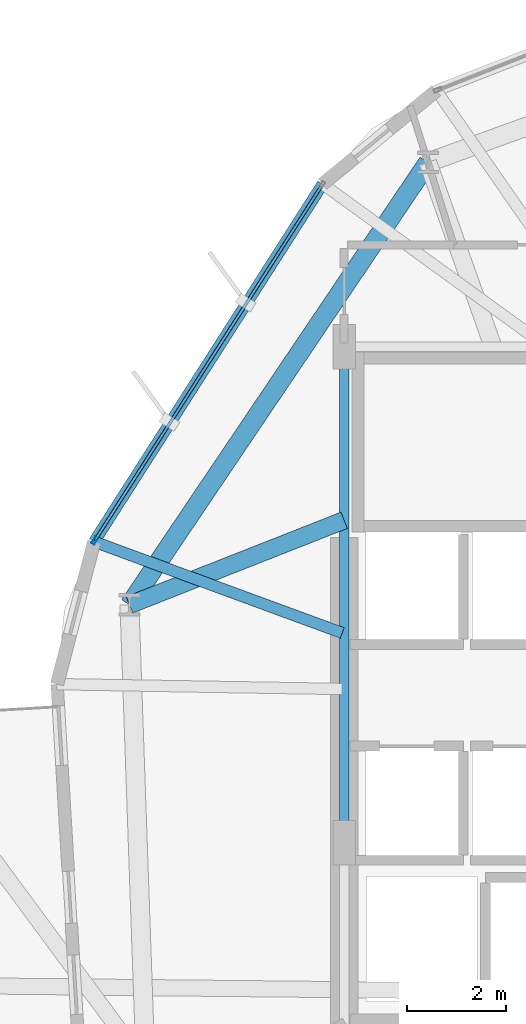
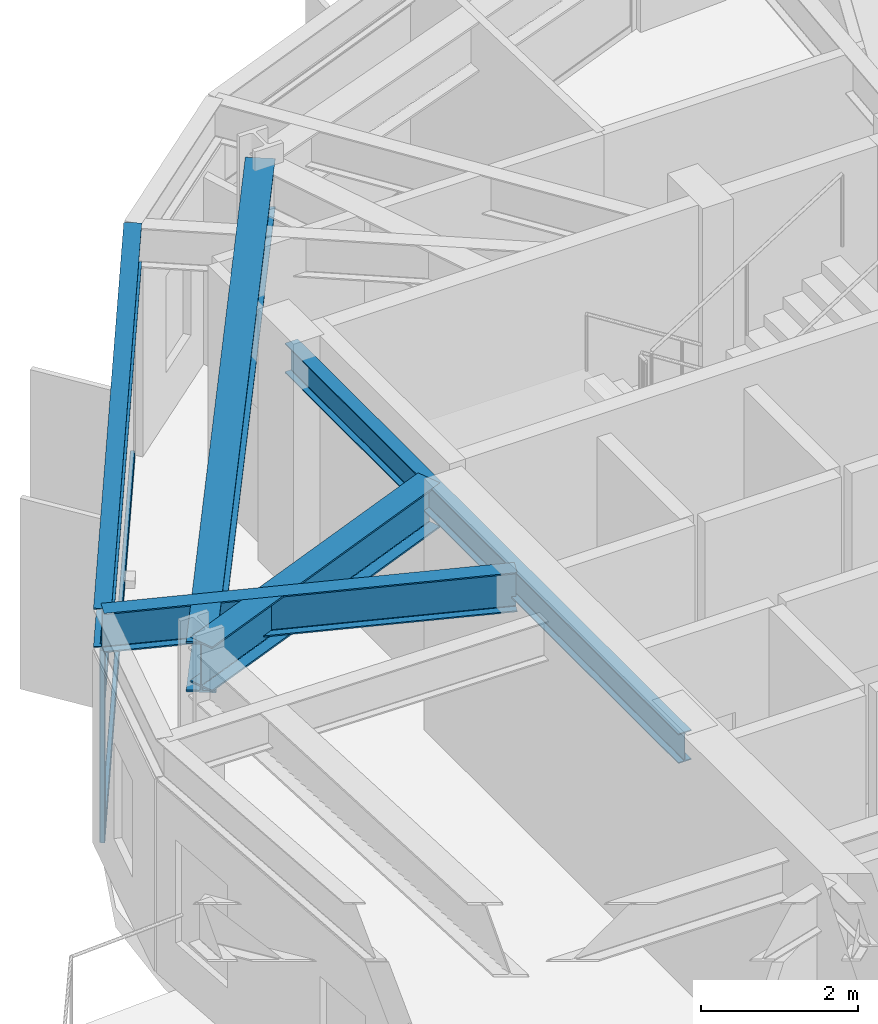
# One storey, part 7 of 22: 5 beams, 4 members, 1 element without a shape of its own.
"""IFC4 building model written with IfcOpenShell, lengths in metres."""

from ifc_helpers import new_model, si_unit, direction, frame, origin, origin_2d, place, context, subcontext, project, spatial, hollow_rectangle, i_section, extrude, material, layer, layer_set, material_profile, profile_set, type_object, element, aggregate, save


model = new_model("IFC4")

# Units and contexts
model_context = context("Model", 3, precision=1e-05, world=origin(), true_north=direction((0.0, 1.0)))
body_context = subcontext(model_context, "Body", "Model", "MODEL_VIEW")
ifc_project = project(units=[si_unit("LENGTHUNIT", "METRE"), si_unit("AREAUNIT", "SQUARE_METRE"), si_unit("VOLUMEUNIT", "CUBIC_METRE"), si_unit("PLANEANGLEUNIT", "RADIAN"), si_unit("MASSUNIT", "GRAM", prefix="KILO")], contexts=[model_context])

# Site, building, storey
site_placement = place(None, origin())
site = spatial("IfcSite", under=ifc_project, at=site_placement, CompositionType="ELEMENT")
building_placement = place(site_placement, origin())
building = spatial("IfcBuilding", under=site, at=building_placement, Name="Soratama Intermodal Tower", CompositionType="ELEMENT")
storey_placement = place(building_placement, frame((0.0, 0.0, 110.800048828125)))
storey = spatial("IfcBuildingStorey", under=building, at=storey_placement, Name="L26", CompositionType="ELEMENT", Elevation=110.800048828125)

# Beams
ifc_material_1 = material(Name="Structural steel ASTM A992 Grade 50", Category="steel")
ifc_material_profile_1 = material_profile(ifc_material_1, i_section(OverallWidth=0.19091796875, OverallDepth=0.4599609375, WebThickness=0.010009765625, FlangeThickness=0.01611328125, FilletRadius=0.010986328125, at=origin_2d()), Name="W18X55")
ifc_profile_set_1 = profile_set([ifc_material_profile_1], Name="Structural steel ASTM A992 Grade 50")
beam_type_1 = type_object("IfcBeamType", Name="BM-FLR-W18X55", PredefinedType="BEAM", material=ifc_profile_set_1)
beam_1_placement = place(storey_placement, frame((32.60009765625, 35.0, 3.369873046875), z_axis=(0.0, -1.0, 0.0), x_axis=(1.0, 0.0, 0.0)))
element("IfcBeam", 1, at=beam_1_placement, inside=storey, type_object=beam_type_1, Name="BM-L26-CRING-08", PredefinedType="BEAM", context=body_context, shape_type="SweptSolid", body=[
    extrude(i_section(OverallWidth=0.19091796875, OverallDepth=0.4599609375, WebThickness=0.010009765625, FlangeThickness=0.01611328125, FilletRadius=0.010986328125, at=origin_2d()), origin(), (0.0, 0.0, 1.0), 10.0),
])
ifc_material_2 = material(Name="Structural steel ASTM A992 Grade 50", Category="steel")
ifc_material_profile_2 = material_profile(ifc_material_2, i_section(OverallWidth=0.35498046875, OverallDepth=0.695068359375, WebThickness=0.015380859375, FlangeThickness=0.02490234375, FilletRadius=0.01611328125, at=origin_2d()), Name="W27X146")
ifc_profile_set_2 = profile_set([ifc_material_profile_2], Name="Structural steel ASTM A992 Grade 50")
beam_type_2 = type_object("IfcBeamType", Name="BM-RING-W27X146", PredefinedType="BEAM", material=ifc_profile_set_2)
beam_2_placement = place(storey_placement, frame((32.60009765625, 31.5, 3.25244140625), z_axis=(-0.930419244357, -0.366496970971, 0.0), x_axis=(0.366496970971, -0.930419244357, 0.0)))
element("IfcBeam", 2, at=beam_2_placement, inside=storey, type_object=beam_type_2, Name="BM-L26-RAD-05", PredefinedType="BEAM", context=body_context, shape_type="SweptSolid", body=[
    extrude(i_section(OverallWidth=0.35498046875, OverallDepth=0.695068359375, WebThickness=0.015380859375, FlangeThickness=0.02490234375, FilletRadius=0.01611328125, at=origin_2d()), origin(), (0.0, 0.0, 1.0), 4.649658203125),
])
ifc_material_3 = material(Name="Structural steel ASTM A992 Grade 50", Category="steel")
ifc_material_profile_3 = material_profile(ifc_material_3, i_section(OverallWidth=0.382080078125, OverallDepth=0.779052734375, WebThickness=0.01806640625, FlangeThickness=0.030029296875, FilletRadius=0.01806640625, at=origin_2d()), Name="W30X191")
ifc_profile_set_3 = profile_set([ifc_material_profile_3], Name="Structural steel ASTM A992 Grade 50")
beam_type_3 = type_object("IfcBeamType", Name="BM-RING-W30X191", PredefinedType="BEAM", material=ifc_profile_set_3)
beam_3_placement = place(storey_placement, frame((34.2880859375, 38.7109375, 3.21044921875), z_axis=(-0.559249807749, -0.828999187293, 0.0), x_axis=(0.828999187293, -0.559249807749, 0.0)))
element("IfcBeam", 3, at=beam_3_placement, inside=storey, type_object=beam_type_3, Name="BM-L26-RING-04", PredefinedType="BEAM", context=body_context, shape_type="SweptSolid", body=[
    extrude(i_section(OverallWidth=0.382080078125, OverallDepth=0.779052734375, WebThickness=0.01806640625, FlangeThickness=0.030029296875, FilletRadius=0.01806640625, at=origin_2d()), origin(), (0.0, 0.0, 1.0), 10.75390625),
])
ifc_material_4 = material(Name="Structural steel ASTM A992 Grade 50", Category="steel")
ifc_material_profile_4 = material_profile(ifc_material_4, i_section(OverallWidth=0.22900390625, OverallDepth=0.612060546875, WebThickness=0.011962890625, FlangeThickness=0.01953125, FilletRadius=0.012939453125, at=origin_2d()), Name="W24X84")
ifc_profile_set_4 = profile_set([ifc_material_profile_4], Name="Structural steel ASTM A992 Grade 50")
beam_type_4 = type_object("IfcBeamType", Name="BM-SPN-W24X84", PredefinedType="SPANDREL", material=ifc_profile_set_4)
beam_4_placement = place(storey_placement, frame((32.1669921875, 38.27587890625, 3.2939453125), z_axis=(-0.538523844695, -0.842610270941, 0.0), x_axis=(0.842610270941, -0.538523844695, 0.0)))
element("IfcBeam", 4, at=beam_4_placement, inside=storey, type_object=beam_type_4, Name="BS-L26-F04", PredefinedType="SPANDREL", context=body_context, shape_type="SweptSolid", body=[
    extrude(i_section(OverallWidth=0.22900390625, OverallDepth=0.612060546875, WebThickness=0.011962890625, FlangeThickness=0.01953125, FilletRadius=0.012939453125, at=origin_2d()), origin(), (0.0, 0.0, 1.0), 8.552978515625),
])
ifc_material_5 = material(Name="Structural steel ASTM A992 Grade 50", Category="steel")
ifc_material_profile_5 = material_profile(ifc_material_5, i_section(OverallWidth=0.22900390625, OverallDepth=0.612060546875, WebThickness=0.011962890625, FlangeThickness=0.01953125, FilletRadius=0.012939453125, at=origin_2d()), Name="W24X84")
ifc_profile_set_5 = profile_set([ifc_material_profile_5], Name="Structural steel ASTM A992 Grade 50")
beam_type_5 = type_object("IfcBeamType", Name="BM-TIE-W24X84", PredefinedType="BEAM", material=ifc_profile_set_5)
beam_5_placement = place(storey_placement, frame((32.56201171875, 29.22998046875, 3.2939453125), z_axis=(-0.938547125086, 0.345151117617, 0.0), x_axis=(-0.345151117617, -0.938547125086, 0.0)))
element("IfcBeam", 5, at=beam_5_placement, inside=storey, type_object=beam_type_5, Name="BM-L26-TIE1-04", PredefinedType="BEAM", context=body_context, shape_type="SweptSolid", body=[
    extrude(i_section(OverallWidth=0.22900390625, OverallDepth=0.612060546875, WebThickness=0.011962890625, FlangeThickness=0.01953125, FilletRadius=0.012939453125, at=origin_2d()), origin(), (0.0, 0.0, 1.0), 5.328369140625),
])

# Curtain wall, members
ifc_material_6 = material(Name="Double-glazed aluminium curtain wall", Category="aluminium")
ifc_layer = layer(ifc_material_6, 0.159912109375)
ifc_layer_set = layer_set([ifc_layer], Name="Double-glazed aluminium curtain wall")
curtain_wall_type = type_object("IfcCurtainWallType", Name="CW-SYS-3", PredefinedType="NOTDEFINED", material=ifc_layer_set)
curtain_wall_placement = place(storey_placement, origin())
curtain_wall = element("IfcCurtainWall", 6, at=curtain_wall_placement, inside=storey, type_object=curtain_wall_type, Name="L26 Faceted Curtain Wall F04", PredefinedType="NOTDEFINED")
ifc_material_7 = material(Name="Anodised aluminium AA 6063-T6", Category="aluminium")
ifc_material_profile_6 = material_profile(ifc_material_7, hollow_rectangle(XDim=0.070068359375, YDim=0.159912109375, WallThickness=0.0048828125, InnerFilletRadius=0.0048828125, OuterFilletRadius=0.010009765625, at=origin_2d()), Name="CWM160X70X5")
ifc_profile_set_6 = profile_set([ifc_material_profile_6], Name="Anodised aluminium AA 6063-T6")
member_type_1 = type_object("IfcMemberType", Name="MT-CWM-3", PredefinedType="MULLION", material=ifc_profile_set_6)
member_1_placement = place(storey_placement, frame((27.57763671875, 31.09375, 0.0), z_axis=(0.0, 0.0, 1.0), x_axis=(0.842639380895, -0.538478294608, 0.0)))
member_1 = element("IfcMember", 7, at=member_1_placement, type_object=member_type_1, Name="CW-3 mullion 2", PredefinedType="MULLION", context=body_context, shape_type="SweptSolid", body=[
    extrude(hollow_rectangle(XDim=0.070068359375, YDim=0.159912109375, WallThickness=0.0048828125, InnerFilletRadius=0.0048828125, OuterFilletRadius=0.010009765625, at=origin_2d()), origin(), (0.0, 0.0, 1.0), 2.97900390625),
])
ifc_material_8 = material(Name="Anodised aluminium AA 6063-T6", Category="aluminium")
ifc_material_profile_7 = material_profile(ifc_material_8, hollow_rectangle(XDim=0.06494140625, YDim=0.14990234375, WallThickness=0.0048828125, InnerFilletRadius=0.0048828125, OuterFilletRadius=0.010009765625, at=origin_2d()), Name="CWT150X65X5")
ifc_profile_set_7 = profile_set([ifc_material_profile_7], Name="Anodised aluminium AA 6063-T6")
member_type_2 = type_object("IfcMemberType", Name="TT-CWT-1", PredefinedType="USERDEFINED", material=ifc_profile_set_7)
member_2_placement = place(storey_placement, frame((32.135009765625, 38.225341796875, 0.030029296875), z_axis=(-0.538489208495, -0.842632406411, 0.0), x_axis=(0.842632406411, -0.538489208495, 0.0)))
member_2 = element("IfcMember", 8, at=member_2_placement, type_object=member_type_2, Name="CW-3 transom 1.1", ObjectType="TRANSOM", PredefinedType="USERDEFINED", context=body_context, shape_type="SweptSolid", body=[
    extrude(hollow_rectangle(XDim=0.06494140625, YDim=0.14990234375, WallThickness=0.0048828125, InnerFilletRadius=0.0048828125, OuterFilletRadius=0.010009765625, at=origin_2d()), origin(), (0.0, 0.0, 1.0), 8.433349609375),
])
member_3_placement = place(storey_placement, frame((32.135009765625, 38.225341796875, 2.14990234375), z_axis=(-0.538489208495, -0.842632406411, 0.0), x_axis=(0.842632406411, -0.538489208495, 0.0)))
member_3 = element("IfcMember", 9, at=member_3_placement, type_object=member_type_2, Name="CW-3 transom 1.2", ObjectType="TRANSOM", PredefinedType="USERDEFINED", context=body_context, shape_type="SweptSolid", body=[
    extrude(hollow_rectangle(XDim=0.06494140625, YDim=0.14990234375, WallThickness=0.0048828125, InnerFilletRadius=0.0048828125, OuterFilletRadius=0.010009765625, at=origin_2d()), origin(), (0.0, 0.0, 1.0), 8.433349609375),
])
member_4_placement = place(storey_placement, frame((32.135009765625, 38.225341796875, 2.948974609375), z_axis=(-0.538489208495, -0.842632406411, 0.0), x_axis=(0.842632406411, -0.538489208495, 0.0)))
member_4 = element("IfcMember", 10, at=member_4_placement, type_object=member_type_2, Name="CW-3 transom 1.3", ObjectType="TRANSOM", PredefinedType="USERDEFINED", context=body_context, shape_type="SweptSolid", body=[
    extrude(hollow_rectangle(XDim=0.06494140625, YDim=0.14990234375, WallThickness=0.0048828125, InnerFilletRadius=0.0048828125, OuterFilletRadius=0.010009765625, at=origin_2d()), origin(), (0.0, 0.0, 1.0), 8.433349609375),
])
aggregate(curtain_wall, [member_1, member_2, member_3, member_4])

save(model, "model.ifc")
